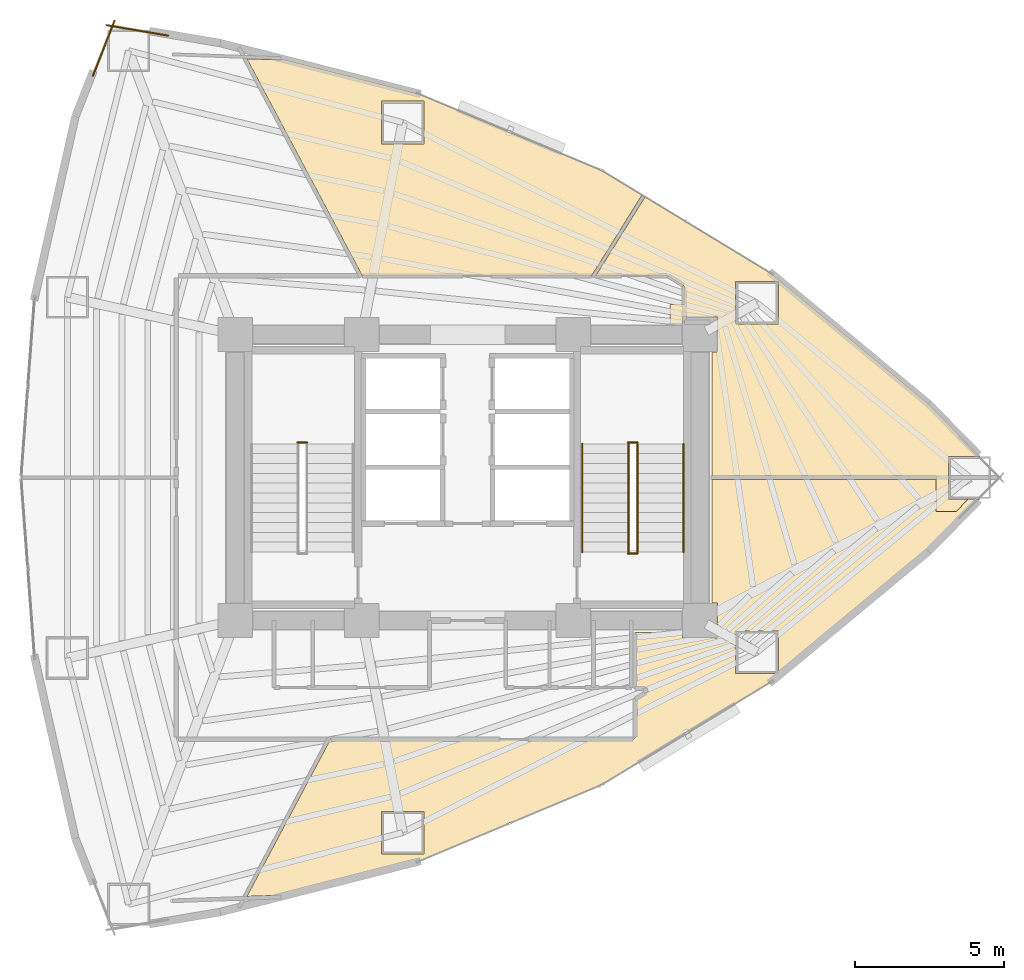
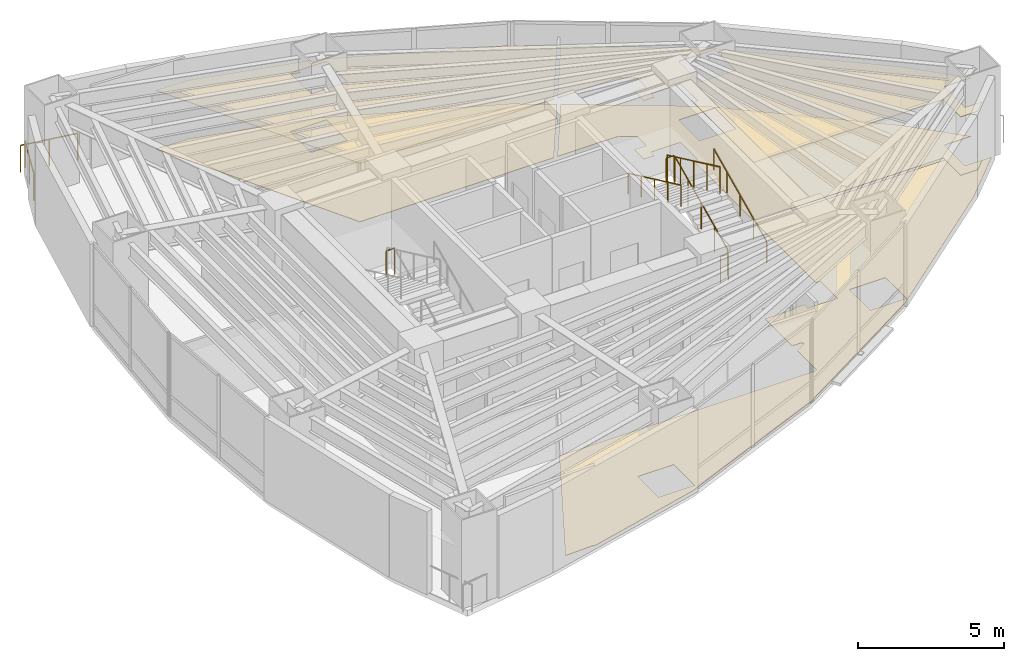
# One storey, part 17 of 18: 9 railings, 5 coverings.
"""IFC4 building model written with IfcOpenShell, lengths in metres."""

from ifc_helpers import new_model, si_unit, direction, frame, origin, origin_2d, place, context, subcontext, project, spatial, polyline, circle, outline, extrude, material, layer, layer_set, type_object, element, save


model = new_model("IFC4")

# Units and contexts
model_context = context("Model", 3, precision=1e-05, world=origin(), true_north=direction((0.0, 1.0)))
body_context = subcontext(model_context, "Body", "Model", "MODEL_VIEW")
ifc_project = project(units=[si_unit("LENGTHUNIT", "METRE"), si_unit("AREAUNIT", "SQUARE_METRE"), si_unit("VOLUMEUNIT", "CUBIC_METRE"), si_unit("PLANEANGLEUNIT", "RADIAN"), si_unit("MASSUNIT", "GRAM", prefix="KILO")], contexts=[model_context])

# Site, building, storey
site_placement = place(None, origin())
site = spatial("IfcSite", under=ifc_project, at=site_placement, CompositionType="ELEMENT")
building_placement = place(site_placement, origin())
building = spatial("IfcBuilding", under=site, at=building_placement, Name="Menara Vayukalpa", CompositionType="ELEMENT")
storey_placement = place(building_placement, frame((0.0, 0.0, 35.0400390625)))
storey = spatial("IfcBuildingStorey", under=building, at=storey_placement, Name="L07", CompositionType="ELEMENT", Elevation=35.0400390625)

# Coverings
ifc_material_1 = material(Name="Mineral Fibre Acoustic Ceiling Tile", Category="masonry")
ifc_layer_1 = layer(ifc_material_1, 0.02490234375)
ifc_layer_set_1 = layer_set([ifc_layer_1], Name="Mineral Fibre Acoustic Ceiling Tile")
covering_type_1 = type_object("IfcCoveringType", Name="COV-CLG1", PredefinedType="CEILING", material=ifc_layer_set_1)
covering_1_placement = place(storey_placement, frame((0.0, 0.0, 2.449951171875)))
element("IfcCovering", 1, at=covering_1_placement, inside=storey, type_object=covering_type_1, Name="L07 Staff Dining and Pantry Acoustic Ceiling", PredefinedType="CEILING", context=body_context, shape_type="SweptSolid", body=[
    extrude(outline(polyline([(33.819091796875, 22.06005859375), (33.818115234375, 22.060302734375), (33.817138671875, 22.060302734375), (33.816162109375, 22.060791015625), (33.815185546875, 22.061279296875), (33.814453125, 22.061767578125), (33.813720703125, 22.062255859375), (33.81298828125, 22.06298828125), (33.812255859375, 22.063720703125), (33.811767578125, 22.064453125), (33.811279296875, 22.065185546875), (33.810791015625, 22.066162109375), (33.810302734375, 22.067138671875), (33.810302734375, 22.068115234375), (33.81005859375, 22.069091796875), (33.81005859375, 22.070068359375), (33.81005859375, 26.2099609375), (33.989990234375, 26.2099609375), (33.989990234375, 27.389892578125), (32.81005859375, 27.389892578125), (32.81005859375, 27.14990234375), (32.389892578125, 27.14990234375), (32.389892578125, 27.81005859375), (32.8701171875, 27.81005859375), (32.8701171875, 28.39453125), (32.86962890625, 28.40185546875), (32.868408203125, 28.408935546875), (32.86669921875, 28.416015625), (32.8642578125, 28.422607421875), (32.861083984375, 28.428955078125), (32.857177734375, 28.43505859375), (32.852783203125, 28.440673828125), (32.847900390625, 28.44580078125), (32.84228515625, 28.450439453125), (32.836181640625, 28.45458984375), (32.333984375, 28.759765625), (32.328125, 28.762939453125), (32.322509765625, 28.765380859375), (32.31640625, 28.767333984375), (32.31005859375, 28.768798828125), (32.3037109375, 28.769775390625), (32.297119140625, 28.77001953125), (29.919189453125, 28.77001953125), (29.918212890625, 28.77001953125), (29.917236328125, 28.770263671875), (29.916259765625, 28.7705078125), (29.915283203125, 28.770751953125), (29.91455078125, 28.77099609375), (29.913818359375, 28.771484375), (29.912841796875, 28.772216796875), (29.912109375, 28.77294921875), (29.91162109375, 28.773681640625), (29.910888671875, 28.7744140625), (29.910400390625, 28.775146484375), (29.909912109375, 28.77587890625), (29.90966796875, 28.77685546875), (29.909423828125, 28.77783203125), (29.9091796875, 28.77880859375), (29.9091796875, 28.77978515625), (29.9091796875, 28.78076171875), (29.9091796875, 28.78173828125), (29.90966796875, 28.78271484375), (29.909912109375, 28.78369140625), (29.91015625, 28.784423828125), (29.91064453125, 28.785400390625), (31.551513671875, 31.411376953125), (31.55224609375, 31.412109375), (31.552734375, 31.412841796875), (31.553466796875, 31.41357421875), (31.55419921875, 31.414306640625), (31.55517578125, 31.414794921875), (31.555908203125, 31.415283203125), (31.556884765625, 31.41552734375), (31.557861328125, 31.415771484375), (31.55859375, 31.416015625), (31.559814453125, 31.416015625), (31.560791015625, 31.416015625), (31.561767578125, 31.416015625), (31.5625, 31.415771484375), (31.5634765625, 31.41552734375), (31.564453125, 31.4150390625), (31.565185546875, 31.41455078125), (35.810791015625, 28.835693359375), (35.81201171875, 28.834716796875), (41.07763671875, 24.468017578125), (41.078369140625, 24.46728515625), (42.798828125, 22.715087890625), (41.749755859375, 22.715087890625), (41.749755859375, 21.284912109375), (42.42041015625, 21.284912109375), (42.008056640625, 20.864990234375), (41.329833984375, 20.864990234375), (41.329833984375, 22.06005859375), (33.820068359375, 22.06005859375), (33.819091796875, 22.06005859375)]), holes=[polyline([(36.032958984375, 27.148193359375), (36.032958984375, 28.578125), (34.60302734375, 28.578125), (34.60302734375, 27.148193359375), (36.032958984375, 27.148193359375)])]), origin(), (0.0, 0.0, 1.0), 0.02490234375),
])
covering_2_placement = place(storey_placement, frame((0.0, 0.0, 2.449951171875)))
element("IfcCovering", 2, at=covering_2_placement, inside=storey, type_object=covering_type_1, Name="L07 Visitor Reception Lounge Acoustic Ceiling", PredefinedType="CEILING", context=body_context, shape_type="SweptSolid", body=[
    extrude(outline(polyline([(30.08984375, 32.310791015625), (30.090576171875, 32.310302734375), (30.09130859375, 32.31005859375), (31.445556640625, 31.4873046875), (31.4462890625, 31.48681640625), (31.447265625, 31.486083984375), (31.447998046875, 31.4853515625), (31.448486328125, 31.484619140625), (31.448974609375, 31.48388671875), (31.449462890625, 31.48291015625), (31.449951171875, 31.48193359375), (31.4501953125, 31.48095703125), (31.4501953125, 31.47998046875), (31.450439453125, 31.47900390625), (31.450439453125, 31.47802734375), (31.4501953125, 31.47705078125), (31.4501953125, 31.47607421875), (31.44970703125, 31.47509765625), (31.449462890625, 31.474365234375), (31.448974609375, 31.473388671875), (29.7626953125, 28.774658203125), (29.761962890625, 28.77392578125), (29.76123046875, 28.773193359375), (29.760498046875, 28.7724609375), (29.759765625, 28.771728515625), (29.7587890625, 28.771240234375), (29.758056640625, 28.770751953125), (29.757080078125, 28.7705078125), (29.756103515625, 28.770263671875), (29.755126953125, 28.77001953125), (29.754150390625, 28.77001953125), (22.07421875, 28.77001953125), (22.0732421875, 28.77001953125), (22.072265625, 28.770263671875), (22.0712890625, 28.7705078125), (22.070556640625, 28.770751953125), (22.069580078125, 28.771240234375), (22.068603515625, 28.771728515625), (22.06787109375, 28.772216796875), (22.067138671875, 28.77294921875), (22.066650390625, 28.773681640625), (22.06591796875, 28.7744140625), (22.0654296875, 28.775390625), (18.198486328125, 36.04833984375), (18.197998046875, 36.04931640625), (18.197509765625, 36.050048828125), (18.197509765625, 36.051025390625), (18.197265625, 36.052001953125), (18.197265625, 36.052978515625), (18.197265625, 36.05419921875), (18.197509765625, 36.05517578125), (18.19775390625, 36.055908203125), (18.197998046875, 36.056884765625), (18.198486328125, 36.057861328125), (18.198974609375, 36.05859375), (18.19970703125, 36.0595703125), (18.2001953125, 36.060302734375), (18.200927734375, 36.060791015625), (18.201904296875, 36.0615234375), (18.20263671875, 36.06201171875), (18.20361328125, 36.062255859375), (18.20458984375, 36.062744140625), (18.20556640625, 36.06298828125), (18.20654296875, 36.06298828125), (18.20751953125, 36.06298828125), (19.326904296875, 36.02392578125), (19.3330078125, 36.02392578125), (19.3388671875, 36.024658203125), (19.344482421875, 36.02587890625), (19.35009765625, 36.027587890625), (19.355712890625, 36.030029296875), (19.360595703125, 36.03271484375), (19.365478515625, 36.0361328125), (19.3701171875, 36.039794921875), (19.3740234375, 36.044189453125), (19.375, 36.045166015625), (19.37548828125, 36.0458984375), (19.376220703125, 36.046630859375), (19.376953125, 36.04736328125), (19.377685546875, 36.0478515625), (19.378662109375, 36.04833984375), (19.379638671875, 36.048583984375), (19.380615234375, 36.048828125), (19.381591796875, 36.049072265625), (19.382568359375, 36.04931640625), (19.38330078125, 36.04931640625), (19.384521484375, 36.049072265625), (19.385498046875, 36.048828125), (23.914794921875, 34.893798828125), (23.916015625, 34.893310546875), (30.08984375, 32.310791015625)]), holes=[polyline([(24.134521484375, 33.207763671875), (24.134521484375, 34.6376953125), (22.704345703125, 34.6376953125), (22.704345703125, 33.207763671875), (24.134521484375, 33.207763671875)])]), origin(), (0.0, 0.0, 1.0), 0.02490234375),
])
ifc_material_2 = material(Name="Porcelain Stoneware Floor Tile", Category="masonry")
ifc_layer_2 = layer(ifc_material_2, 0.02001953125)
ifc_layer_set_2 = layer_set([ifc_layer_2], Name="Porcelain Stoneware Floor Tile")
covering_type_2 = type_object("IfcCoveringType", Name="COV-FLR1", PredefinedType="FLOORING", material=ifc_layer_set_2)
covering_3_placement = place(storey_placement, origin())
element("IfcCovering", 3, at=covering_3_placement, inside=storey, type_object=covering_type_2, Name="L07 Executive Boardroom Porcelain Flooring", PredefinedType="FLOORING", context=body_context, shape_type="SweptSolid", body=[
    extrude(outline(polyline([(23.916015625, 9.106689453125), (23.914794921875, 9.106201171875), (19.385498046875, 7.951171875), (19.384521484375, 7.950927734375), (19.38330078125, 7.95068359375), (19.382568359375, 7.95068359375), (19.381591796875, 7.950927734375), (19.380615234375, 7.951171875), (19.379638671875, 7.951416015625), (19.378662109375, 7.95166015625), (19.377685546875, 7.9521484375), (19.376953125, 7.95263671875), (19.376220703125, 7.953369140625), (19.37548828125, 7.9541015625), (19.375, 7.954833984375), (19.3740234375, 7.955810546875), (19.3701171875, 7.960205078125), (19.365478515625, 7.9638671875), (19.360595703125, 7.96728515625), (19.355712890625, 7.969970703125), (19.35009765625, 7.972412109375), (19.344482421875, 7.97412109375), (19.3388671875, 7.975341796875), (19.3330078125, 7.97607421875), (19.326904296875, 7.97607421875), (18.20751953125, 7.93701171875), (18.20654296875, 7.93701171875), (18.20556640625, 7.93701171875), (18.20458984375, 7.937255859375), (18.20361328125, 7.937744140625), (18.20263671875, 7.93798828125), (18.201904296875, 7.9384765625), (18.200927734375, 7.939208984375), (18.2001953125, 7.939697265625), (18.19970703125, 7.9404296875), (18.198974609375, 7.94140625), (18.198486328125, 7.942138671875), (18.197998046875, 7.943115234375), (18.19775390625, 7.944091796875), (18.197509765625, 7.94482421875), (18.197265625, 7.94580078125), (18.197265625, 7.947021484375), (18.197265625, 7.947998046875), (18.197509765625, 7.948974609375), (18.197509765625, 7.949951171875), (18.197998046875, 7.95068359375), (18.198486328125, 7.95166015625), (20.996826171875, 13.214599609375), (20.997314453125, 13.215576171875), (20.997802734375, 13.21630859375), (20.99853515625, 13.217041015625), (20.999267578125, 13.2177734375), (21.0, 13.21826171875), (21.0009765625, 13.21875), (21.001708984375, 13.21923828125), (21.002685546875, 13.219482421875), (21.003662109375, 13.2197265625), (21.004638671875, 13.219970703125), (21.005615234375, 13.219970703125), (31.149658203125, 13.219970703125), (31.15673828125, 13.220458984375), (31.163818359375, 13.22119140625), (31.17041015625, 13.222900390625), (31.1767578125, 13.225341796875), (31.18310546875, 13.228271484375), (31.188720703125, 13.231689453125), (31.194580078125, 13.236083984375), (31.199462890625, 13.240478515625), (31.2041015625, 13.24560546875), (31.208251953125, 13.251220703125), (31.2119140625, 13.257080078125), (31.214599609375, 13.26318359375), (31.217041015625, 13.269775390625), (31.21875, 13.2763671875), (31.219482421875, 13.283203125), (31.219970703125, 13.290283203125), (31.219970703125, 14.55810546875), (31.22021484375, 14.55908203125), (31.22021484375, 14.56005859375), (31.220458984375, 14.56103515625), (31.220703125, 14.56201171875), (31.22119140625, 14.56298828125), (31.2216796875, 14.563720703125), (31.222412109375, 14.564697265625), (31.22314453125, 14.565185546875), (31.22412109375, 14.56591796875), (31.224853515625, 14.56640625), (31.5927734375, 14.7900390625), (31.5986328125, 14.794189453125), (31.60400390625, 14.798583984375), (31.60888671875, 14.803466796875), (31.61328125, 14.80908203125), (31.6171875, 14.81494140625), (31.620361328125, 14.821044921875), (31.622802734375, 14.82763671875), (31.624755859375, 14.83447265625), (31.626220703125, 14.84130859375), (31.626708984375, 14.84814453125), (31.62646484375, 14.85498046875), (31.62548828125, 14.862060546875), (31.6240234375, 14.868896484375), (31.621826171875, 14.87548828125), (31.618896484375, 14.8818359375), (31.615478515625, 14.887939453125), (31.611328125, 14.8935546875), (31.606689453125, 14.898681640625), (31.6015625, 14.903564453125), (31.59619140625, 14.90771484375), (31.590087890625, 14.911376953125), (31.583740234375, 14.91455078125), (31.5771484375, 14.916748046875), (31.570556640625, 14.918701171875), (31.563720703125, 14.919677734375), (31.556396484375, 14.919921875), (31.219970703125, 14.919921875), (31.218994140625, 14.919921875), (31.218017578125, 14.920166015625), (31.217041015625, 14.92041015625), (31.21630859375, 14.9208984375), (31.21533203125, 14.921142578125), (31.21435546875, 14.921630859375), (31.213623046875, 14.92236328125), (31.212890625, 14.9228515625), (31.21240234375, 14.923583984375), (31.211669921875, 14.92431640625), (31.211181640625, 14.92529296875), (31.210693359375, 14.92626953125), (31.21044921875, 14.927001953125), (31.210205078125, 14.927978515625), (31.2099609375, 14.928955078125), (31.2099609375, 14.929931640625), (31.2099609375, 16.780029296875), (31.2099609375, 16.781005859375), (31.210205078125, 16.781982421875), (31.21044921875, 16.782958984375), (31.210693359375, 16.78369140625), (31.211181640625, 16.78466796875), (31.211669921875, 16.78564453125), (31.21240234375, 16.786376953125), (31.212890625, 16.787109375), (31.213623046875, 16.78759765625), (31.21435546875, 16.788330078125), (31.21533203125, 16.788818359375), (31.21630859375, 16.789306640625), (31.217041015625, 16.78955078125), (31.218017578125, 16.789794921875), (31.218994140625, 16.7900390625), (31.219970703125, 16.7900390625), (32.389892578125, 16.7900390625), (32.389892578125, 16.85009765625), (32.81005859375, 16.85009765625), (32.81005859375, 16.610107421875), (33.989990234375, 16.610107421875), (33.989990234375, 17.7900390625), (33.81005859375, 17.7900390625), (33.81005859375, 21.929931640625), (33.81005859375, 21.930908203125), (33.810302734375, 21.931884765625), (33.810302734375, 21.932861328125), (33.810791015625, 21.933837890625), (33.811279296875, 21.934814453125), (33.811767578125, 21.935546875), (33.812255859375, 21.936279296875), (33.81298828125, 21.93701171875), (33.813720703125, 21.937744140625), (33.814453125, 21.938232421875), (33.815185546875, 21.938720703125), (33.816162109375, 21.939208984375), (33.817138671875, 21.939697265625), (33.818115234375, 21.939697265625), (33.819091796875, 21.93994140625), (33.820068359375, 21.93994140625), (41.329833984375, 21.93994140625), (41.329833984375, 23.135009765625), (42.008056640625, 23.135009765625), (42.42041015625, 22.715087890625), (41.749755859375, 22.715087890625), (41.749755859375, 21.284912109375), (42.798828125, 21.284912109375), (41.078369140625, 19.53271484375), (41.07763671875, 19.531982421875), (35.81201171875, 15.165283203125), (35.810791015625, 15.164306640625), (30.09130859375, 11.68994140625), (30.090576171875, 11.689697265625), (30.08984375, 11.689208984375), (23.916015625, 9.106689453125)]), holes=[polyline([(24.134521484375, 10.792236328125), (22.704345703125, 10.792236328125), (22.704345703125, 9.3623046875), (24.134521484375, 9.3623046875), (24.134521484375, 10.792236328125)]), polyline([(36.032958984375, 16.851806640625), (34.60302734375, 16.851806640625), (34.60302734375, 15.421875), (36.032958984375, 15.421875), (36.032958984375, 16.851806640625)])]), origin(), (0.0, 0.0, 1.0), 0.02001953125),
])
covering_4_placement = place(storey_placement, origin())
element("IfcCovering", 4, at=covering_4_placement, inside=storey, type_object=covering_type_2, Name="L07 Staff Dining and Pantry Porcelain Flooring", PredefinedType="FLOORING", context=body_context, shape_type="SweptSolid", body=[
    extrude(outline(polyline([(33.819091796875, 22.06005859375), (33.818115234375, 22.060302734375), (33.817138671875, 22.060302734375), (33.816162109375, 22.060791015625), (33.815185546875, 22.061279296875), (33.814453125, 22.061767578125), (33.813720703125, 22.062255859375), (33.81298828125, 22.06298828125), (33.812255859375, 22.063720703125), (33.811767578125, 22.064453125), (33.811279296875, 22.065185546875), (33.810791015625, 22.066162109375), (33.810302734375, 22.067138671875), (33.810302734375, 22.068115234375), (33.81005859375, 22.069091796875), (33.81005859375, 22.070068359375), (33.81005859375, 26.2099609375), (33.989990234375, 26.2099609375), (33.989990234375, 27.389892578125), (32.81005859375, 27.389892578125), (32.81005859375, 27.14990234375), (32.389892578125, 27.14990234375), (32.389892578125, 27.81005859375), (32.8701171875, 27.81005859375), (32.8701171875, 28.39453125), (32.86962890625, 28.40185546875), (32.868408203125, 28.408935546875), (32.86669921875, 28.416015625), (32.8642578125, 28.422607421875), (32.861083984375, 28.428955078125), (32.857177734375, 28.43505859375), (32.852783203125, 28.440673828125), (32.847900390625, 28.44580078125), (32.84228515625, 28.450439453125), (32.836181640625, 28.45458984375), (32.333984375, 28.759765625), (32.328125, 28.762939453125), (32.322509765625, 28.765380859375), (32.31640625, 28.767333984375), (32.31005859375, 28.768798828125), (32.3037109375, 28.769775390625), (32.297119140625, 28.77001953125), (29.919189453125, 28.77001953125), (29.918212890625, 28.77001953125), (29.917236328125, 28.770263671875), (29.916259765625, 28.7705078125), (29.915283203125, 28.770751953125), (29.91455078125, 28.77099609375), (29.913818359375, 28.771484375), (29.912841796875, 28.772216796875), (29.912109375, 28.77294921875), (29.91162109375, 28.773681640625), (29.910888671875, 28.7744140625), (29.910400390625, 28.775146484375), (29.909912109375, 28.77587890625), (29.90966796875, 28.77685546875), (29.909423828125, 28.77783203125), (29.9091796875, 28.77880859375), (29.9091796875, 28.77978515625), (29.9091796875, 28.78076171875), (29.9091796875, 28.78173828125), (29.90966796875, 28.78271484375), (29.909912109375, 28.78369140625), (29.91015625, 28.784423828125), (29.91064453125, 28.785400390625), (31.551513671875, 31.411376953125), (31.55224609375, 31.412109375), (31.552734375, 31.412841796875), (31.553466796875, 31.41357421875), (31.55419921875, 31.414306640625), (31.55517578125, 31.414794921875), (31.555908203125, 31.415283203125), (31.556884765625, 31.41552734375), (31.557861328125, 31.415771484375), (31.55859375, 31.416015625), (31.559814453125, 31.416015625), (31.560791015625, 31.416015625), (31.561767578125, 31.416015625), (31.5625, 31.415771484375), (31.5634765625, 31.41552734375), (31.564453125, 31.4150390625), (31.565185546875, 31.41455078125), (35.810791015625, 28.835693359375), (35.81201171875, 28.834716796875), (41.07763671875, 24.468017578125), (41.078369140625, 24.46728515625), (42.798828125, 22.715087890625), (41.749755859375, 22.715087890625), (41.749755859375, 21.284912109375), (42.42041015625, 21.284912109375), (42.008056640625, 20.864990234375), (41.329833984375, 20.864990234375), (41.329833984375, 22.06005859375), (33.820068359375, 22.06005859375), (33.819091796875, 22.06005859375)]), holes=[polyline([(36.032958984375, 27.148193359375), (36.032958984375, 28.578125), (34.60302734375, 28.578125), (34.60302734375, 27.148193359375), (36.032958984375, 27.148193359375)])]), origin(), (0.0, 0.0, 1.0), 0.02001953125),
])
covering_5_placement = place(storey_placement, origin())
element("IfcCovering", 5, at=covering_5_placement, inside=storey, type_object=covering_type_2, Name="L07 Visitor Reception Lounge Porcelain Flooring", PredefinedType="FLOORING", context=body_context, shape_type="SweptSolid", body=[
    extrude(outline(polyline([(30.08984375, 32.310791015625), (30.090576171875, 32.310302734375), (30.09130859375, 32.31005859375), (31.445556640625, 31.4873046875), (31.4462890625, 31.48681640625), (31.447265625, 31.486083984375), (31.447998046875, 31.4853515625), (31.448486328125, 31.484619140625), (31.448974609375, 31.48388671875), (31.449462890625, 31.48291015625), (31.449951171875, 31.48193359375), (31.4501953125, 31.48095703125), (31.4501953125, 31.47998046875), (31.450439453125, 31.47900390625), (31.450439453125, 31.47802734375), (31.4501953125, 31.47705078125), (31.4501953125, 31.47607421875), (31.44970703125, 31.47509765625), (31.449462890625, 31.474365234375), (31.448974609375, 31.473388671875), (29.7626953125, 28.774658203125), (29.761962890625, 28.77392578125), (29.76123046875, 28.773193359375), (29.760498046875, 28.7724609375), (29.759765625, 28.771728515625), (29.7587890625, 28.771240234375), (29.758056640625, 28.770751953125), (29.757080078125, 28.7705078125), (29.756103515625, 28.770263671875), (29.755126953125, 28.77001953125), (29.754150390625, 28.77001953125), (22.07421875, 28.77001953125), (22.0732421875, 28.77001953125), (22.072265625, 28.770263671875), (22.0712890625, 28.7705078125), (22.070556640625, 28.770751953125), (22.069580078125, 28.771240234375), (22.068603515625, 28.771728515625), (22.06787109375, 28.772216796875), (22.067138671875, 28.77294921875), (22.066650390625, 28.773681640625), (22.06591796875, 28.7744140625), (22.0654296875, 28.775390625), (18.198486328125, 36.04833984375), (18.197998046875, 36.04931640625), (18.197509765625, 36.050048828125), (18.197509765625, 36.051025390625), (18.197265625, 36.052001953125), (18.197265625, 36.052978515625), (18.197265625, 36.05419921875), (18.197509765625, 36.05517578125), (18.19775390625, 36.055908203125), (18.197998046875, 36.056884765625), (18.198486328125, 36.057861328125), (18.198974609375, 36.05859375), (18.19970703125, 36.0595703125), (18.2001953125, 36.060302734375), (18.200927734375, 36.060791015625), (18.201904296875, 36.0615234375), (18.20263671875, 36.06201171875), (18.20361328125, 36.062255859375), (18.20458984375, 36.062744140625), (18.20556640625, 36.06298828125), (18.20654296875, 36.06298828125), (18.20751953125, 36.06298828125), (19.326904296875, 36.02392578125), (19.3330078125, 36.02392578125), (19.3388671875, 36.024658203125), (19.344482421875, 36.02587890625), (19.35009765625, 36.027587890625), (19.355712890625, 36.030029296875), (19.360595703125, 36.03271484375), (19.365478515625, 36.0361328125), (19.3701171875, 36.039794921875), (19.3740234375, 36.044189453125), (19.375, 36.045166015625), (19.37548828125, 36.0458984375), (19.376220703125, 36.046630859375), (19.376953125, 36.04736328125), (19.377685546875, 36.0478515625), (19.378662109375, 36.04833984375), (19.379638671875, 36.048583984375), (19.380615234375, 36.048828125), (19.381591796875, 36.049072265625), (19.382568359375, 36.04931640625), (19.38330078125, 36.04931640625), (19.384521484375, 36.049072265625), (19.385498046875, 36.048828125), (23.914794921875, 34.893798828125), (23.916015625, 34.893310546875), (30.08984375, 32.310791015625)]), holes=[polyline([(24.134521484375, 33.207763671875), (24.134521484375, 34.6376953125), (22.704345703125, 34.6376953125), (22.704345703125, 33.207763671875), (24.134521484375, 33.207763671875)])]), origin(), (0.0, 0.0, 1.0), 0.02001953125),
])

# Railings
ifc_material_3 = material(Name="Laminated Glass and Stainless Steel 316 Guardrail", Category="steel")
railing_type_1 = type_object("IfcRailingType", Name="RLG-EXT115", PredefinedType="GUARDRAIL", material=ifc_material_3)
railing_1_placement = place(storey_placement, frame((15.541015625, 36.840087890625, 0.0)))
element("IfcRailing", 6, at=railing_1_placement, inside=storey, type_object=railing_type_1, Name="L07 Column Corner Spandrel Guardrail 07-1", PredefinedType="GUARDRAIL", context=body_context, shape_type="SweptSolid", body=[
    extrude(circle(Radius=0.02392578125, at=origin_2d()), frame((0.0, 0.0, 1.1259765625), z_axis=(-0.985904350491, 0.167309927029, 0.0), x_axis=(-0.167309927029, -0.985904350491, 0.0)), (0.0, 0.0, 1.0), 2.093994140625),
    extrude(circle(Radius=0.02099609375, at=origin_2d()), origin(), (0.0, 0.0, 1.0), 1.101806640625),
    extrude(circle(Radius=0.02099609375, at=origin_2d()), frame((-1.0322265625, 0.17529296875, 0.0)), (0.0, 0.0, 1.0), 1.101806640625),
    extrude(circle(Radius=0.02099609375, at=origin_2d()), frame((-2.064453125, 0.350341796875, 0.0)), (0.0, 0.0, 1.0), 1.101806640625),
])
railing_2_placement = place(storey_placement, frame((13.74755859375, 37.343505859375, 0.0)))
element("IfcRailing", 7, at=railing_2_placement, inside=storey, type_object=railing_type_1, Name="L07 Column Corner Spandrel Guardrail 08-1", PredefinedType="GUARDRAIL", context=body_context, shape_type="SweptSolid", body=[
    extrude(circle(Radius=0.02392578125, at=origin_2d()), frame((0.0, 0.0, 1.1259765625), z_axis=(-0.365580158762, -0.930779859859, 0.0), x_axis=(0.930779859859, -0.365580158762, 0.0)), (0.0, 0.0, 1.0), 1.9873046875),
    extrude(circle(Radius=0.02099609375, at=origin_2d()), origin(), (0.0, 0.0, 1.0), 1.101806640625),
    extrude(circle(Radius=0.02099609375, at=origin_2d()), frame((-0.36328125, -0.9248046875, 0.0)), (0.0, 0.0, 1.0), 1.101806640625),
    extrude(circle(Radius=0.02099609375, at=origin_2d()), frame((-0.7265625, -1.849853515625, 0.0)), (0.0, 0.0, 1.0), 1.101806640625),
])
ifc_material_4 = material(Name="Powder-Coated Galvanised Steel Guardrail", Category="steel")
railing_type_2 = type_object("IfcRailingType", Name="RLG-STG110", PredefinedType="GUARDRAIL", material=ifc_material_4)
railing_3_placement = place(storey_placement, frame((20.2099609375, 23.179931640625, 1.85986328125)))
element("IfcRailing", 8, at=railing_3_placement, inside=storey, type_object=railing_type_2, Name="L07 ST-1 stair guard 2", PredefinedType="GUARDRAIL", context=body_context, shape_type="SweptSolid", body=[
    extrude(circle(Radius=0.02392578125, at=origin_2d()), frame((0.0, 0.0, 1.09619140625), z_axis=(-1.0, 0.0, 0.0), x_axis=(0.0, -1.0, 0.0)), (0.0, 0.0, 1.0), 0.320068359375),
    extrude(circle(Radius=0.02099609375, at=origin_2d()), origin(), (0.0, 0.0, 1.0), 1.072021484375),
    extrude(circle(Radius=0.02099609375, at=origin_2d()), frame((-0.320068359375, 0.0, 0.0)), (0.0, 0.0, 1.0), 1.072021484375),
])
railing_4_placement = place(storey_placement, frame((31.300048828125, 19.5, 0.155029296875)))
element("IfcRailing", 9, at=railing_4_placement, inside=storey, type_object=railing_type_2, Name="L07 ST-2 stair guard 1", PredefinedType="GUARDRAIL", context=body_context, shape_type="SweptSolid", body=[
    extrude(circle(Radius=0.02392578125, at=origin_2d()), frame((0.0, 0.0, 1.09619140625), z_axis=(0.0, 0.90513990983, 0.425113800803), x_axis=(-1.0, 0.0, 0.0)), (0.0, 0.0, 1.0), 4.01025390625),
    extrude(circle(Radius=0.02099609375, at=origin_2d()), origin(), (0.0, 0.0, 1.0), 1.072021484375),
    extrude(circle(Radius=0.02099609375, at=origin_2d()), frame((0.0, 0.907470703125, 0.42626953125)), (0.0, 0.0, 1.0), 1.072021484375),
    extrude(circle(Radius=0.02099609375, at=origin_2d()), frame((0.0, 1.81494140625, 0.8525390625)), (0.0, 0.0, 1.0), 1.072021484375),
    extrude(circle(Radius=0.02099609375, at=origin_2d()), frame((0.0, 2.722412109375, 1.278564453125)), (0.0, 0.0, 1.0), 1.072021484375),
    extrude(circle(Radius=0.02099609375, at=origin_2d()), frame((0.0, 3.6298828125, 1.704833984375)), (0.0, 0.0, 1.0), 1.072021484375),
])
railing_5_placement = place(storey_placement, frame((31.31005859375, 23.179931640625, 1.85986328125)))
element("IfcRailing", 10, at=railing_5_placement, inside=storey, type_object=railing_type_2, Name="L07 ST-2 stair guard 2", PredefinedType="GUARDRAIL", context=body_context, shape_type="SweptSolid", body=[
    extrude(circle(Radius=0.02392578125, at=origin_2d()), frame((0.0, 0.0, 1.09619140625), z_axis=(-1.0, 0.0, 0.0), x_axis=(0.0, -1.0, 0.0)), (0.0, 0.0, 1.0), 0.320068359375),
    extrude(circle(Radius=0.02099609375, at=origin_2d()), origin(), (0.0, 0.0, 1.0), 1.072021484375),
    extrude(circle(Radius=0.02099609375, at=origin_2d()), frame((-0.320068359375, 0.0, 0.0)), (0.0, 0.0, 1.0), 1.072021484375),
])
railing_6_placement = place(storey_placement, frame((31.0, 23.1298828125, 2.014892578125)))
element("IfcRailing", 11, at=railing_6_placement, inside=storey, type_object=railing_type_2, Name="L07 ST-2 stair guard 3", PredefinedType="GUARDRAIL", context=body_context, shape_type="SweptSolid", body=[
    extrude(circle(Radius=0.02392578125, at=origin_2d()), frame((0.0, 0.0, 1.09619140625), z_axis=(0.0, -0.90511648382, 0.425163675209), x_axis=(1.0, 0.0, 0.0)), (0.0, 0.0, 1.0), 4.010498046875),
    extrude(circle(Radius=0.02099609375, at=origin_2d()), origin(), (0.0, 0.0, 1.0), 1.072021484375),
    extrude(circle(Radius=0.02099609375, at=origin_2d()), frame((0.0, -0.907470703125, 0.42626953125)), (0.0, 0.0, 1.0), 1.072021484375),
    extrude(circle(Radius=0.02099609375, at=origin_2d()), frame((0.0, -1.81494140625, 0.8525390625)), (0.0, 0.0, 1.0), 1.072021484375),
    extrude(circle(Radius=0.02099609375, at=origin_2d()), frame((0.0, -2.722412109375, 1.27880859375)), (0.0, 0.0, 1.0), 1.072021484375),
    extrude(circle(Radius=0.02099609375, at=origin_2d()), frame((0.0, -3.6298828125, 1.705078125)), (0.0, 0.0, 1.0), 1.072021484375),
])
railing_7_placement = place(storey_placement, frame((31.31005859375, 19.449951171875, 0.0)))
element("IfcRailing", 12, at=railing_7_placement, inside=storey, type_object=railing_type_2, Name="L07 ST-2 stair guard 4", PredefinedType="GUARDRAIL", context=body_context, shape_type="SweptSolid", body=[
    extrude(circle(Radius=0.02392578125, at=origin_2d()), frame((0.0, 0.0, 1.09619140625), z_axis=(-1.0, 0.0, 0.0), x_axis=(0.0, -1.0, 0.0)), (0.0, 0.0, 1.0), 0.320068359375),
    extrude(circle(Radius=0.02099609375, at=origin_2d()), origin(), (0.0, 0.0, 1.0), 1.072021484375),
    extrude(circle(Radius=0.02099609375, at=origin_2d()), frame((-0.320068359375, 0.0, 0.0)), (0.0, 0.0, 1.0), 1.072021484375),
])
ifc_material_5 = material(Name="Stainless Steel 316 Tubular Handrail", Category="steel")
railing_type_3 = type_object("IfcRailingType", Name="RLG-STH090", PredefinedType="HANDRAIL", material=ifc_material_5)
railing_8_placement = place(storey_placement, frame((32.85009765625, 19.5, 0.155029296875)))
element("IfcRailing", 13, at=railing_8_placement, inside=storey, type_object=railing_type_3, Name="L07 ST-2 stair handrail 1", PredefinedType="HANDRAIL", context=body_context, shape_type="SweptSolid", body=[
    extrude(circle(Radius=0.02392578125, at=origin_2d()), frame((0.0, 0.0, 0.8759765625), z_axis=(0.0, 0.90513990983, 0.425113800803), x_axis=(-1.0, 0.0, 0.0)), (0.0, 0.0, 1.0), 4.01025390625),
    extrude(circle(Radius=0.02099609375, at=origin_2d()), origin(), (0.0, 0.0, 1.0), 0.851806640625),
    extrude(circle(Radius=0.02099609375, at=origin_2d()), frame((0.0, 0.907470703125, 0.42626953125)), (0.0, 0.0, 1.0), 0.851806640625),
    extrude(circle(Radius=0.02099609375, at=origin_2d()), frame((0.0, 1.81494140625, 0.8525390625)), (0.0, 0.0, 1.0), 0.851806640625),
    extrude(circle(Radius=0.02099609375, at=origin_2d()), frame((0.0, 2.722412109375, 1.278564453125)), (0.0, 0.0, 1.0), 0.851806640625),
    extrude(circle(Radius=0.02099609375, at=origin_2d()), frame((0.0, 3.6298828125, 1.704833984375)), (0.0, 0.0, 1.0), 0.851806640625),
])
railing_9_placement = place(storey_placement, frame((29.449951171875, 23.1298828125, 2.014892578125)))
element("IfcRailing", 14, at=railing_9_placement, inside=storey, type_object=railing_type_3, Name="L07 ST-2 stair handrail 2", PredefinedType="HANDRAIL", context=body_context, shape_type="SweptSolid", body=[
    extrude(circle(Radius=0.02392578125, at=origin_2d()), frame((0.0, 0.0, 0.8759765625), z_axis=(0.0, -0.90511648382, 0.425163675209), x_axis=(1.0, 0.0, 0.0)), (0.0, 0.0, 1.0), 4.010498046875),
    extrude(circle(Radius=0.02099609375, at=origin_2d()), origin(), (0.0, 0.0, 1.0), 0.851806640625),
    extrude(circle(Radius=0.02099609375, at=origin_2d()), frame((0.0, -0.907470703125, 0.42626953125)), (0.0, 0.0, 1.0), 0.851806640625),
    extrude(circle(Radius=0.02099609375, at=origin_2d()), frame((0.0, -1.81494140625, 0.8525390625)), (0.0, 0.0, 1.0), 0.851806640625),
    extrude(circle(Radius=0.02099609375, at=origin_2d()), frame((0.0, -2.722412109375, 1.27880859375)), (0.0, 0.0, 1.0), 0.851806640625),
    extrude(circle(Radius=0.02099609375, at=origin_2d()), frame((0.0, -3.6298828125, 1.705078125)), (0.0, 0.0, 1.0), 0.851806640625),
])

save(model, "model.ifc")
